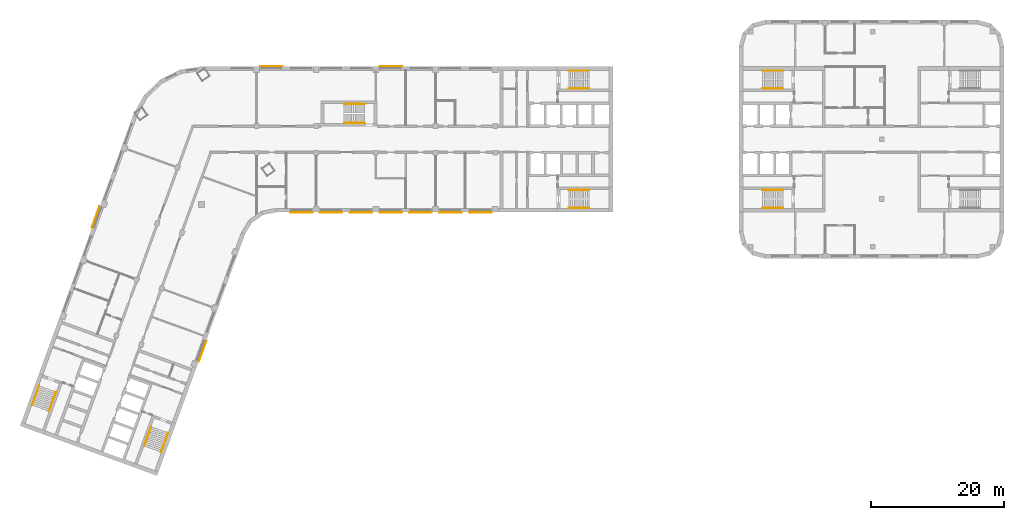
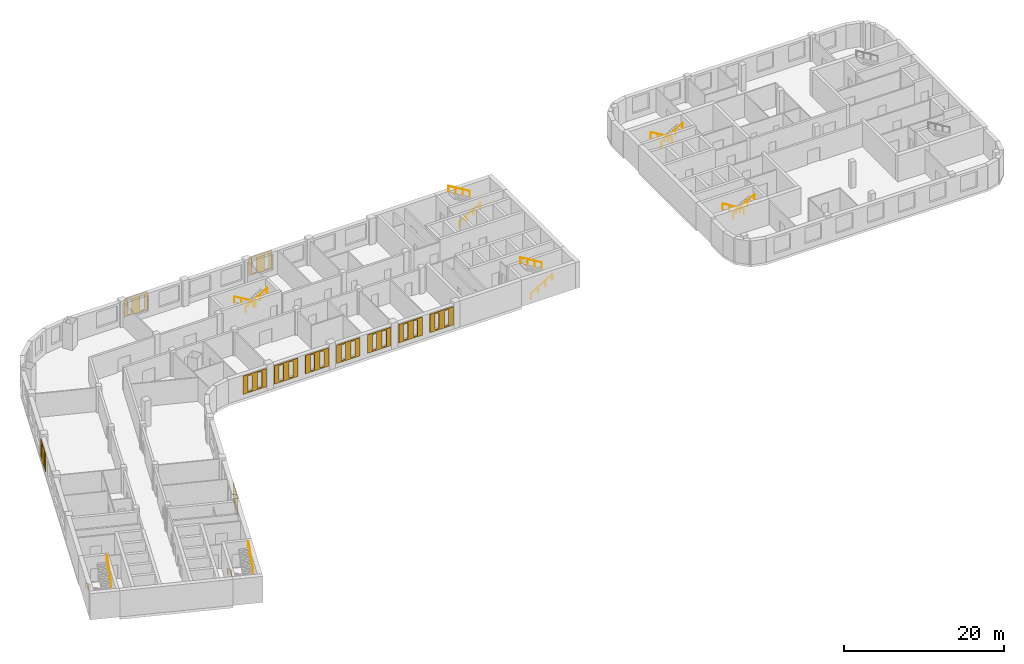
# One storey, part 11 of 12: 14 railings, 11 coverings.
"""IFC4 building model written with IfcOpenShell, lengths in metres."""

from ifc_helpers import new_model, si_unit, direction, frame, origin, origin_2d, place, context, subcontext, project, spatial, polyline, circle, outline, extrude, material, material_profile, profile_set, type_object, element, save


model = new_model("IFC4")

# Units and contexts
model_context = context("Model", 3, precision=1e-05, world=origin(), true_north=direction((0.0, 1.0)))
body_context = subcontext(model_context, "Body", "Model", "MODEL_VIEW")
ifc_project = project(units=[si_unit("LENGTHUNIT", "METRE"), si_unit("AREAUNIT", "SQUARE_METRE"), si_unit("VOLUMEUNIT", "CUBIC_METRE"), si_unit("PLANEANGLEUNIT", "RADIAN"), si_unit("MASSUNIT", "GRAM", prefix="KILO")], contexts=[model_context])

# Site, building, storey
site_placement = place(None, origin())
site = spatial("IfcSite", under=ifc_project, at=site_placement, CompositionType="ELEMENT")
building_placement = place(site_placement, origin())
building = spatial("IfcBuilding", under=site, at=building_placement, Name="Skarvind Civic Tower", CompositionType="ELEMENT")
storey_placement = place(building_placement, frame((0.0, 0.0, 59.5)))
storey = spatial("IfcBuildingStorey", under=building, at=storey_placement, Name="L13", CompositionType="ELEMENT", Elevation=59.5)

# Railings
ifc_material_1 = material(Name="Painted steel handrail", Category="steel")
railing_type = type_object("IfcRailingType", Name="Stair handrail 900", PredefinedType="HANDRAIL", material=ifc_material_1)
railing_1_placement = place(storey_placement, frame((101.35009765625, 135.64990234375, 0.166748046875)))
element("IfcRailing", 1, at=railing_1_placement, inside=storey, type_object=railing_type, Name="Stair handrail", PredefinedType="HANDRAIL", context=body_context, shape_type="SweptSolid", body=[
    extrude(circle(Radius=0.02392578125, at=origin_2d()), frame((0.0, 0.0, 0.8759765625), z_axis=(0.859290745958, 0.0, 0.51148745235), x_axis=(0.0, 1.0, 0.0)), (0.0, 0.0, 1.0), 3.584228515625),
    extrude(circle(Radius=0.02099609375, at=origin_2d()), origin(), (0.0, 0.0, 1.0), 0.851806640625),
    extrude(circle(Radius=0.02099609375, at=origin_2d()), frame((1.026611328125, 0.0, 0.611083984375)), (0.0, 0.0, 1.0), 0.851806640625),
    extrude(circle(Radius=0.02099609375, at=origin_2d()), frame((2.05322265625, 0.0, 1.22216796875)), (0.0, 0.0, 1.0), 0.851806640625),
    extrude(circle(Radius=0.02099609375, at=origin_2d()), frame((3.079833984375, 0.0, 1.833251953125)), (0.0, 0.0, 1.0), 0.851806640625),
])
railing_2_placement = place(storey_placement, frame((104.429931640625, 138.35009765625, 2.166748046875)))
element("IfcRailing", 2, at=railing_2_placement, inside=storey, type_object=railing_type, Name="Stair handrail", PredefinedType="HANDRAIL", context=body_context, shape_type="SweptSolid", body=[
    extrude(circle(Radius=0.02392578125, at=origin_2d()), frame((0.0, 0.0, 0.8759765625), z_axis=(-0.859290745958, 0.0, 0.51148745235), x_axis=(0.0, -1.0, 0.0)), (0.0, 0.0, 1.0), 3.584228515625),
    extrude(circle(Radius=0.02099609375, at=origin_2d()), origin(), (0.0, 0.0, 1.0), 0.851806640625),
    extrude(circle(Radius=0.02099609375, at=origin_2d()), frame((-1.026611328125, 0.0, 0.611083984375)), (0.0, 0.0, 1.0), 0.851806640625),
    extrude(circle(Radius=0.02099609375, at=origin_2d()), frame((-2.05322265625, 0.0, 1.22216796875)), (0.0, 0.0, 1.0), 0.851806640625),
    extrude(circle(Radius=0.02099609375, at=origin_2d()), frame((-3.079833984375, 0.0, 1.833251953125)), (0.0, 0.0, 1.0), 0.851806640625),
])
railing_3_placement = place(storey_placement, frame((101.35009765625, 117.64990234375, 0.166748046875)))
element("IfcRailing", 3, at=railing_3_placement, inside=storey, type_object=railing_type, Name="Stair handrail", PredefinedType="HANDRAIL", context=body_context, shape_type="SweptSolid", body=[
    extrude(circle(Radius=0.02392578125, at=origin_2d()), frame((0.0, 0.0, 0.8759765625), z_axis=(0.859290745958, 0.0, 0.51148745235), x_axis=(0.0, 1.0, 0.0)), (0.0, 0.0, 1.0), 3.584228515625),
    extrude(circle(Radius=0.02099609375, at=origin_2d()), origin(), (0.0, 0.0, 1.0), 0.851806640625),
    extrude(circle(Radius=0.02099609375, at=origin_2d()), frame((1.026611328125, 0.0, 0.611083984375)), (0.0, 0.0, 1.0), 0.851806640625),
    extrude(circle(Radius=0.02099609375, at=origin_2d()), frame((2.05322265625, 0.0, 1.22216796875)), (0.0, 0.0, 1.0), 0.851806640625),
    extrude(circle(Radius=0.02099609375, at=origin_2d()), frame((3.079833984375, 0.0, 1.833251953125)), (0.0, 0.0, 1.0), 0.851806640625),
])
railing_4_placement = place(storey_placement, frame((104.429931640625, 120.35009765625, 2.166748046875)))
element("IfcRailing", 4, at=railing_4_placement, inside=storey, type_object=railing_type, Name="Stair handrail", PredefinedType="HANDRAIL", context=body_context, shape_type="SweptSolid", body=[
    extrude(circle(Radius=0.02392578125, at=origin_2d()), frame((0.0, 0.0, 0.8759765625), z_axis=(-0.859290745958, 0.0, 0.51148745235), x_axis=(0.0, -1.0, 0.0)), (0.0, 0.0, 1.0), 3.584228515625),
    extrude(circle(Radius=0.02099609375, at=origin_2d()), origin(), (0.0, 0.0, 1.0), 0.851806640625),
    extrude(circle(Radius=0.02099609375, at=origin_2d()), frame((-1.026611328125, 0.0, 0.611083984375)), (0.0, 0.0, 1.0), 0.851806640625),
    extrude(circle(Radius=0.02099609375, at=origin_2d()), frame((-2.05322265625, 0.0, 1.22216796875)), (0.0, 0.0, 1.0), 0.851806640625),
    extrude(circle(Radius=0.02099609375, at=origin_2d()), frame((-3.079833984375, 0.0, 1.833251953125)), (0.0, 0.0, 1.0), 0.851806640625),
])
railing_5_placement = place(storey_placement, frame((38.362060546875, 84.64794921875, 0.166748046875)))
element("IfcRailing", 5, at=railing_5_placement, inside=storey, type_object=railing_type, Name="Stair handrail", PredefinedType="HANDRAIL", context=body_context, shape_type="SweptSolid", body=[
    extrude(circle(Radius=0.02392578125, at=origin_2d()), frame((0.0, 0.0, 0.8759765625), z_axis=(-0.293908055923, -0.807480881337, 0.511461319103), x_axis=(0.939689235759, -0.342029443467, 0.0)), (0.0, 0.0, 1.0), 3.584228515625),
    extrude(circle(Radius=0.02099609375, at=origin_2d()), origin(), (0.0, 0.0, 1.0), 0.851806640625),
    extrude(circle(Radius=0.02099609375, at=origin_2d()), frame((-0.35107421875, -0.96484375, 0.611083984375)), (0.0, 0.0, 1.0), 0.851806640625),
    extrude(circle(Radius=0.02099609375, at=origin_2d()), frame((-0.702392578125, -1.929443359375, 1.22216796875)), (0.0, 0.0, 1.0), 0.851806640625),
    extrude(circle(Radius=0.02099609375, at=origin_2d()), frame((-1.053466796875, -2.894287109375, 1.833251953125)), (0.0, 0.0, 1.0), 0.851806640625),
])
railing_6_placement = place(storey_placement, frame((39.845703125, 80.830078125, 2.166748046875)))
element("IfcRailing", 6, at=railing_6_placement, inside=storey, type_object=railing_type, Name="Stair handrail", PredefinedType="HANDRAIL", context=body_context, shape_type="SweptSolid", body=[
    extrude(circle(Radius=0.02392578125, at=origin_2d()), frame((0.0, 0.0, 0.8759765625), z_axis=(0.293908055923, 0.807480881337, 0.511461319103), x_axis=(-0.939689235759, 0.342029443467, 0.0)), (0.0, 0.0, 1.0), 3.584228515625),
    extrude(circle(Radius=0.02099609375, at=origin_2d()), origin(), (0.0, 0.0, 1.0), 0.851806640625),
    extrude(circle(Radius=0.02099609375, at=origin_2d()), frame((0.35107421875, 0.96484375, 0.611083984375)), (0.0, 0.0, 1.0), 0.851806640625),
    extrude(circle(Radius=0.02099609375, at=origin_2d()), frame((0.702392578125, 1.929443359375, 1.22216796875)), (0.0, 0.0, 1.0), 0.851806640625),
    extrude(circle(Radius=0.02099609375, at=origin_2d()), frame((1.053466796875, 2.894287109375, 1.833251953125)), (0.0, 0.0, 1.0), 0.851806640625),
])
railing_7_placement = place(storey_placement, frame((21.447509765625, 90.80419921875, 0.166748046875)))
element("IfcRailing", 7, at=railing_7_placement, inside=storey, type_object=railing_type, Name="Stair handrail", PredefinedType="HANDRAIL", context=body_context, shape_type="SweptSolid", body=[
    extrude(circle(Radius=0.02392578125, at=origin_2d()), frame((0.0, 0.0, 0.8759765625), z_axis=(-0.293845824691, -0.807497044902, 0.511471557163), x_axis=(0.939714709796, -0.34195944817, 0.0)), (0.0, 0.0, 1.0), 3.584228515625),
    extrude(circle(Radius=0.02099609375, at=origin_2d()), origin(), (0.0, 0.0, 1.0), 0.851806640625),
    extrude(circle(Radius=0.02099609375, at=origin_2d()), frame((-0.35107421875, -0.96484375, 0.611083984375)), (0.0, 0.0, 1.0), 0.851806640625),
    extrude(circle(Radius=0.02099609375, at=origin_2d()), frame((-0.7021484375, -1.929443359375, 1.22216796875)), (0.0, 0.0, 1.0), 0.851806640625),
    extrude(circle(Radius=0.02099609375, at=origin_2d()), frame((-1.05322265625, -2.894287109375, 1.833251953125)), (0.0, 0.0, 1.0), 0.851806640625),
])
railing_8_placement = place(storey_placement, frame((22.931396484375, 86.986572265625, 2.166748046875)))
element("IfcRailing", 8, at=railing_8_placement, inside=storey, type_object=railing_type, Name="Stair handrail", PredefinedType="HANDRAIL", context=body_context, shape_type="SweptSolid", body=[
    extrude(circle(Radius=0.02392578125, at=origin_2d()), frame((0.0, 0.0, 0.8759765625), z_axis=(0.293908055923, 0.807480881337, 0.511461319103), x_axis=(-0.939689235759, 0.342029443467, 0.0)), (0.0, 0.0, 1.0), 3.584228515625),
    extrude(circle(Radius=0.02099609375, at=origin_2d()), origin(), (0.0, 0.0, 1.0), 0.851806640625),
    extrude(circle(Radius=0.02099609375, at=origin_2d()), frame((0.35107421875, 0.96484375, 0.611083984375)), (0.0, 0.0, 1.0), 0.851806640625),
    extrude(circle(Radius=0.02099609375, at=origin_2d()), frame((0.702392578125, 1.929443359375, 1.22216796875)), (0.0, 0.0, 1.0), 0.851806640625),
    extrude(circle(Radius=0.02099609375, at=origin_2d()), frame((1.053466796875, 2.894287109375, 1.833251953125)), (0.0, 0.0, 1.0), 0.851806640625),
])
railing_9_placement = place(storey_placement, frame((133.64990234375, 120.35009765625, 0.166748046875)))
element("IfcRailing", 9, at=railing_9_placement, inside=storey, type_object=railing_type, Name="Stair handrail", PredefinedType="HANDRAIL", context=body_context, shape_type="SweptSolid", body=[
    extrude(circle(Radius=0.02392578125, at=origin_2d()), frame((0.0, 0.0, 0.8759765625), z_axis=(-0.859290745958, 0.0, 0.51148745235), x_axis=(0.0, -1.0, 0.0)), (0.0, 0.0, 1.0), 3.584228515625),
    extrude(circle(Radius=0.02099609375, at=origin_2d()), origin(), (0.0, 0.0, 1.0), 0.851806640625),
    extrude(circle(Radius=0.02099609375, at=origin_2d()), frame((-1.026611328125, 0.0, 0.611083984375)), (0.0, 0.0, 1.0), 0.851806640625),
    extrude(circle(Radius=0.02099609375, at=origin_2d()), frame((-2.05322265625, 0.0, 1.22216796875)), (0.0, 0.0, 1.0), 0.851806640625),
    extrude(circle(Radius=0.02099609375, at=origin_2d()), frame((-3.079833984375, 0.0, 1.833251953125)), (0.0, 0.0, 1.0), 0.851806640625),
])
railing_10_placement = place(storey_placement, frame((130.570068359375, 117.64990234375, 2.166748046875)))
element("IfcRailing", 10, at=railing_10_placement, inside=storey, type_object=railing_type, Name="Stair handrail", PredefinedType="HANDRAIL", context=body_context, shape_type="SweptSolid", body=[
    extrude(circle(Radius=0.02392578125, at=origin_2d()), frame((0.0, 0.0, 0.8759765625), z_axis=(0.859290745958, 0.0, 0.51148745235), x_axis=(0.0, 1.0, 0.0)), (0.0, 0.0, 1.0), 3.584228515625),
    extrude(circle(Radius=0.02099609375, at=origin_2d()), origin(), (0.0, 0.0, 1.0), 0.851806640625),
    extrude(circle(Radius=0.02099609375, at=origin_2d()), frame((1.026611328125, 0.0, 0.611083984375)), (0.0, 0.0, 1.0), 0.851806640625),
    extrude(circle(Radius=0.02099609375, at=origin_2d()), frame((2.05322265625, 0.0, 1.22216796875)), (0.0, 0.0, 1.0), 0.851806640625),
    extrude(circle(Radius=0.02099609375, at=origin_2d()), frame((3.079833984375, 0.0, 1.833251953125)), (0.0, 0.0, 1.0), 0.851806640625),
])
railing_11_placement = place(storey_placement, frame((133.64990234375, 138.35009765625, 0.166748046875)))
element("IfcRailing", 11, at=railing_11_placement, inside=storey, type_object=railing_type, Name="Stair handrail", PredefinedType="HANDRAIL", context=body_context, shape_type="SweptSolid", body=[
    extrude(circle(Radius=0.02392578125, at=origin_2d()), frame((0.0, 0.0, 0.8759765625), z_axis=(-0.859290745958, 0.0, 0.51148745235), x_axis=(0.0, -1.0, 0.0)), (0.0, 0.0, 1.0), 3.584228515625),
    extrude(circle(Radius=0.02099609375, at=origin_2d()), origin(), (0.0, 0.0, 1.0), 0.851806640625),
    extrude(circle(Radius=0.02099609375, at=origin_2d()), frame((-1.026611328125, 0.0, 0.611083984375)), (0.0, 0.0, 1.0), 0.851806640625),
    extrude(circle(Radius=0.02099609375, at=origin_2d()), frame((-2.05322265625, 0.0, 1.22216796875)), (0.0, 0.0, 1.0), 0.851806640625),
    extrude(circle(Radius=0.02099609375, at=origin_2d()), frame((-3.079833984375, 0.0, 1.833251953125)), (0.0, 0.0, 1.0), 0.851806640625),
])
railing_12_placement = place(storey_placement, frame((130.570068359375, 135.64990234375, 2.166748046875)))
element("IfcRailing", 12, at=railing_12_placement, inside=storey, type_object=railing_type, Name="Stair handrail", PredefinedType="HANDRAIL", context=body_context, shape_type="SweptSolid", body=[
    extrude(circle(Radius=0.02392578125, at=origin_2d()), frame((0.0, 0.0, 0.8759765625), z_axis=(0.859290745958, 0.0, 0.51148745235), x_axis=(0.0, 1.0, 0.0)), (0.0, 0.0, 1.0), 3.584228515625),
    extrude(circle(Radius=0.02099609375, at=origin_2d()), origin(), (0.0, 0.0, 1.0), 0.851806640625),
    extrude(circle(Radius=0.02099609375, at=origin_2d()), frame((1.026611328125, 0.0, 0.611083984375)), (0.0, 0.0, 1.0), 0.851806640625),
    extrude(circle(Radius=0.02099609375, at=origin_2d()), frame((2.05322265625, 0.0, 1.22216796875)), (0.0, 0.0, 1.0), 0.851806640625),
    extrude(circle(Radius=0.02099609375, at=origin_2d()), frame((3.079833984375, 0.0, 1.833251953125)), (0.0, 0.0, 1.0), 0.851806640625),
])
railing_13_placement = place(storey_placement, frame((70.550048828125, 133.35009765625, 0.166748046875)))
element("IfcRailing", 13, at=railing_13_placement, inside=storey, type_object=railing_type, Name="Stair handrail", PredefinedType="HANDRAIL", context=body_context, shape_type="SweptSolid", body=[
    extrude(circle(Radius=0.02392578125, at=origin_2d()), frame((0.0, 0.0, 0.8759765625), z_axis=(-0.859308565015, 0.0, 0.511457515432), x_axis=(0.0, -1.0, 0.0)), (0.0, 0.0, 1.0), 3.58447265625),
    extrude(circle(Radius=0.02099609375, at=origin_2d()), origin(), (0.0, 0.0, 1.0), 0.851806640625),
    extrude(circle(Radius=0.02099609375, at=origin_2d()), frame((-1.026611328125, 0.0, 0.611083984375)), (0.0, 0.0, 1.0), 0.851806640625),
    extrude(circle(Radius=0.02099609375, at=origin_2d()), frame((-2.053466796875, 0.0, 1.22216796875)), (0.0, 0.0, 1.0), 0.851806640625),
    extrude(circle(Radius=0.02099609375, at=origin_2d()), frame((-3.080078125, 0.0, 1.833251953125)), (0.0, 0.0, 1.0), 0.851806640625),
])
railing_14_placement = place(storey_placement, frame((67.469970703125, 130.449951171875, 2.166748046875)))
element("IfcRailing", 14, at=railing_14_placement, inside=storey, type_object=railing_type, Name="Stair handrail", PredefinedType="HANDRAIL", context=body_context, shape_type="SweptSolid", body=[
    extrude(circle(Radius=0.02392578125, at=origin_2d()), frame((0.0, 0.0, 0.8759765625), z_axis=(0.859308565015, 0.0, 0.511457515432), x_axis=(0.0, 1.0, 0.0)), (0.0, 0.0, 1.0), 3.58447265625),
    extrude(circle(Radius=0.02099609375, at=origin_2d()), origin(), (0.0, 0.0, 1.0), 0.851806640625),
    extrude(circle(Radius=0.02099609375, at=origin_2d()), frame((1.026611328125, 0.0, 0.611083984375)), (0.0, 0.0, 1.0), 0.851806640625),
    extrude(circle(Radius=0.02099609375, at=origin_2d()), frame((2.053466796875, 0.0, 1.22216796875)), (0.0, 0.0, 1.0), 0.851806640625),
    extrude(circle(Radius=0.02099609375, at=origin_2d()), frame((3.080078125, 0.0, 1.833251953125)), (0.0, 0.0, 1.0), 0.851806640625),
])

# Coverings
ifc_material_2 = material(Name="Terracotta", Category="masonry")
ifc_material_profile_1 = material_profile(ifc_material_2, outline(polyline([(-1.699951171875, -1.39990234375), (1.699951171875, -1.39990234375), (1.699951171875, 1.39990234375), (-1.699951171875, 1.39990234375), (-1.699951171875, -1.39990234375)]), holes=[polyline([(-1.0, -1.18994140625), (-0.39990234375, -1.18994140625), (-0.39990234375, 1.18994140625), (-1.0, 1.18994140625), (-1.0, -1.18994140625)]), polyline([(0.39990234375, -1.18994140625), (1.0, -1.18994140625), (1.0, 1.18994140625), (0.39990234375, 1.18994140625), (0.39990234375, -1.18994140625)])]), Name="TERRACOTTA SCREEN 3400 x 2800, SLIT PITCH 1400")
ifc_profile_set_1 = profile_set([ifc_material_profile_1], Name="Terracotta")
covering_type_1 = type_object("IfcCoveringType", Name="TERRACOTTA SCREEN 3400 x 2800, SLIT PITCH 1400", PredefinedType="CLADDING", material=ifc_profile_set_1)
for number, where, z_axis, x_axis, name in (
    (15, (88.0, 117.0, 2.10009765625), (0.0, -1.0, 0.0), (1.0, 0.0, 0.0), "TERRACOTTA SCREEN"),
    (16, (83.5, 117.0, 2.10009765625), (0.0, -1.0, 0.0), (1.0, 0.0, 0.0), "TERRACOTTA SCREEN"),
    (17, (79.0, 117.0, 2.10009765625), (0.0, -1.0, 0.0), (1.0, 0.0, 0.0), "TERRACOTTA SCREEN"),
    (18, (74.5, 117.0, 2.10009765625), (0.0, -1.0, 0.0), (1.0, 0.0, 0.0), "TERRACOTTA SCREEN"),
    (19, (70.0, 117.0, 2.10009765625), (0.0, -1.0, 0.0), (1.0, 0.0, 0.0), "TERRACOTTA SCREEN"),
    (20, (65.5, 117.0, 2.10009765625), (0.0, -1.0, 0.0), (1.0, 0.0, 0.0), "TERRACOTTA SCREEN"),
    (21, (61.0, 117.0, 2.10009765625), (0.0, -1.0, 0.0), (1.0, 0.0, 0.0), "TERRACOTTA SCREEN"),
):
    element("IfcCovering", number, at=place(storey_placement, frame(where, z_axis=z_axis, x_axis=x_axis)), inside=storey, type_object=covering_type_1, Name=name, PredefinedType="CLADDING", context=body_context, shape_type="SweptSolid", body=[
        extrude(outline(polyline([(-1.699951171875, -1.39990234375), (1.699951171875, -1.39990234375), (1.699951171875, 1.39990234375), (-1.699951171875, 1.39990234375), (-1.699951171875, -1.39990234375)]), holes=[polyline([(-1.0, -1.18994140625), (-0.39990234375, -1.18994140625), (-0.39990234375, 1.18994140625), (-1.0, 1.18994140625), (-1.0, -1.18994140625)]), polyline([(0.39990234375, -1.18994140625), (1.0, -1.18994140625), (1.0, 1.18994140625), (0.39990234375, 1.18994140625), (0.39990234375, -1.18994140625)])]), origin(), (0.0, 0.0, 1.0), 0.06005859375),
    ])
ifc_material_profile_2 = material_profile(ifc_material_2, outline(polyline([(-1.699951171875, -1.39990234375), (1.699951171875, -1.39990234375), (1.699951171875, 1.39990234375), (-1.699951171875, 1.39990234375), (-1.699951171875, -1.39990234375)]), holes=[polyline([(-1.199951171875, -1.18994140625), (-0.60009765625, -1.18994140625), (-0.60009765625, 1.18994140625), (-1.199951171875, 1.18994140625), (-1.199951171875, -1.18994140625)]), polyline([(0.60009765625, -1.18994140625), (1.199951171875, -1.18994140625), (1.199951171875, 1.18994140625), (0.60009765625, 1.18994140625), (0.60009765625, -1.18994140625)])]), Name="TERRACOTTA SCREEN 3400 x 2800, SLIT PITCH 1800")
ifc_profile_set_2 = profile_set([ifc_material_profile_2], Name="Terracotta")
covering_type_2 = type_object("IfcCoveringType", Name="TERRACOTTA SCREEN 3400 x 2800, SLIT PITCH 1800", PredefinedType="CLADDING", material=ifc_profile_set_2)
for number, where, z_axis, x_axis, name in (
    (22, (46.075927734375, 96.047119140625, 2.10009765625), (0.939793423488, -0.341743063087, 0.0), (0.341743063087, 0.939793423488, 0.0), "TERRACOTTA SCREEN"),
    (23, (56.5, 139.0, 2.10009765625), (0.0, 1.0, 0.0), (-1.0, 0.0, 0.0), "TERRACOTTA SCREEN"),
    (24, (74.5, 139.0, 2.10009765625), (0.0, 1.0, 0.0), (-1.0, 0.0, 0.0), "TERRACOTTA SCREEN"),
    (25, (30.02001953125, 116.25732421875, 2.10009765625), (-0.939793423488, 0.341743063087, 0.0), (-0.341743063087, -0.939793423488, 0.0), "TERRACOTTA SCREEN"),
):
    element("IfcCovering", number, at=place(storey_placement, frame(where, z_axis=z_axis, x_axis=x_axis)), inside=storey, type_object=covering_type_2, Name=name, PredefinedType="CLADDING", context=body_context, shape_type="SweptSolid", body=[
        extrude(outline(polyline([(-1.699951171875, -1.39990234375), (1.699951171875, -1.39990234375), (1.699951171875, 1.39990234375), (-1.699951171875, 1.39990234375), (-1.699951171875, -1.39990234375)]), holes=[polyline([(-1.199951171875, -1.18994140625), (-0.60009765625, -1.18994140625), (-0.60009765625, 1.18994140625), (-1.199951171875, 1.18994140625), (-1.199951171875, -1.18994140625)]), polyline([(0.60009765625, -1.18994140625), (1.199951171875, -1.18994140625), (1.199951171875, 1.18994140625), (0.60009765625, 1.18994140625), (0.60009765625, -1.18994140625)])]), origin(), (0.0, 0.0, 1.0), 0.06005859375),
    ])

save(model, "model.ifc")
